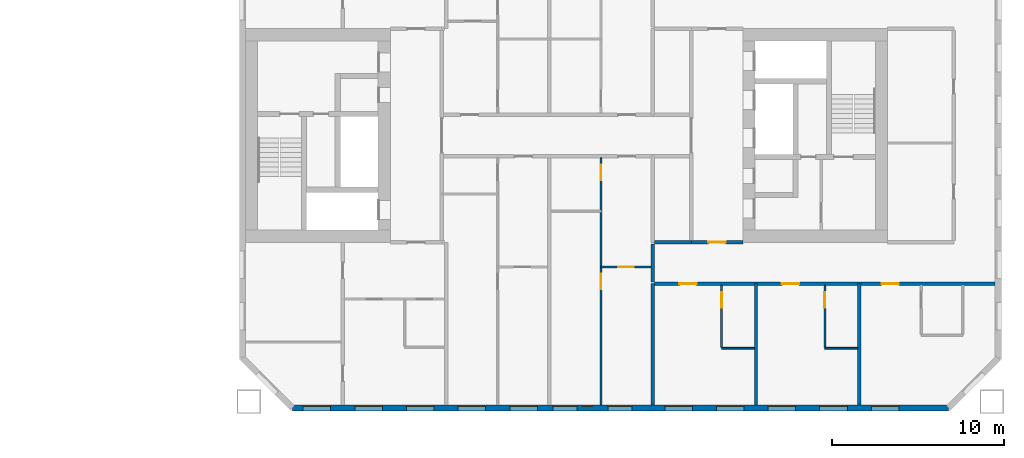
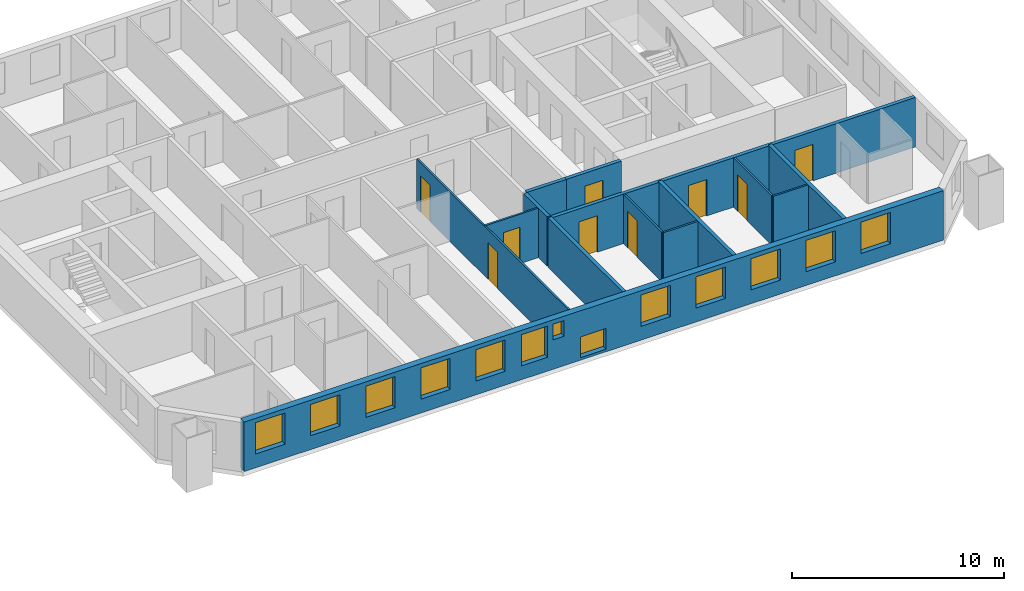
# One storey, part 11 of 16: 14 walls, 13 windows, 9 doors, 22 openings.
"""IFC4 building model written with IfcOpenShell, lengths in metres."""

from ifc_helpers import new_model, si_unit, direction, frame, frame_2d, origin, place, context, subcontext, project, spatial, rectangle, extrude, material, layer, layer_set, type_object, element, fill, save


model = new_model("IFC4")

# Units and contexts
model_context = context("Model", 3, precision=1e-05, world=origin(), true_north=direction((0.0, 1.0)))
body_context = subcontext(model_context, "Body", "Model", "MODEL_VIEW")
ifc_project = project(units=[si_unit("LENGTHUNIT", "METRE"), si_unit("AREAUNIT", "SQUARE_METRE"), si_unit("VOLUMEUNIT", "CUBIC_METRE"), si_unit("PLANEANGLEUNIT", "RADIAN"), si_unit("MASSUNIT", "GRAM", prefix="KILO")], contexts=[model_context])

# Site, building, storey
site_placement = place(None, origin())
site = spatial("IfcSite", under=ifc_project, at=site_placement, CompositionType="ELEMENT")
building_placement = place(site_placement, origin())
building = spatial("IfcBuilding", under=site, at=building_placement, Name="Tuart Gate Housing", CompositionType="ELEMENT")
storey_placement = place(building_placement, frame((0.0, 0.0, 87.10009765625)))
storey = spatial("IfcBuildingStorey", under=building, at=storey_placement, Name="L24", CompositionType="ELEMENT", Elevation=87.10009765625)

# Wall, openings, windows
ifc_material_1 = material(Name="Brick", Category="masonry")
ifc_layer_1 = layer(ifc_material_1, 0.360107421875)
ifc_layer_set_1 = layer_set([ifc_layer_1], Name="Brick pier and spandrel wall 360")
wall_type_1 = type_object("IfcWallType", Name="Brick pier and spandrel wall 360", PredefinedType="STANDARD", material=ifc_layer_set_1)
wall_1_placement = place(storey_placement, frame((134.07470703125, 54.179931640625, 0.0), z_axis=(0.0, 0.0, 1.0), x_axis=(1.0, 0.0, 0.0)))
wall_1 = element("IfcWall", 1, at=wall_1_placement, inside=storey, type_object=wall_type_1, Name="External wall B-S L24", PredefinedType="STANDARD", context=body_context, shape_type="SweptSolid", body=[
    extrude(rectangle(XDim=38.100830078125, YDim=0.360107421875, at=frame_2d((19.05029296875, 0.0))), origin(), (0.0, 0.0, 1.0), 2.849853515625),
])
opening_1_placement = place(wall_1_placement, frame((0.62548828125, 0.0, 0.800048828125)))
opening_1 = element("IfcOpeningElement", 2, at=opening_1_placement, cuts=wall_1, Name="Opening W1", PredefinedType="OPENING", context=body_context, shape_type="SweptSolid", body=[
    extrude(rectangle(XDim=1.60009765625, YDim=1.800048828125, at=frame_2d((0.800048828125, 0.89990234375))), frame((0.0, 0.18994140625, 0.0), z_axis=(0.0, -1.0, 0.0), x_axis=(1.0, 0.0, 0.0)), (0.0, 0.0, 1.0), 0.380126953125),
])
opening_2_placement = place(wall_1_placement, frame((3.62548828125, 0.0, 0.800048828125)))
opening_2 = element("IfcOpeningElement", 3, at=opening_2_placement, cuts=wall_1, Name="Opening W1", PredefinedType="OPENING", context=body_context, shape_type="SweptSolid", body=[
    extrude(rectangle(XDim=1.60009765625, YDim=1.800048828125, at=frame_2d((0.800048828125, 0.89990234375))), frame((0.0, 0.18994140625, 0.0), z_axis=(0.0, -1.0, 0.0), x_axis=(1.0, 0.0, 0.0)), (0.0, 0.0, 1.0), 0.380126953125),
])
opening_3_placement = place(wall_1_placement, frame((6.62548828125, 0.0, 0.800048828125)))
opening_3 = element("IfcOpeningElement", 4, at=opening_3_placement, cuts=wall_1, Name="Opening W1", PredefinedType="OPENING", context=body_context, shape_type="SweptSolid", body=[
    extrude(rectangle(XDim=1.60009765625, YDim=1.800048828125, at=frame_2d((0.800048828125, 0.89990234375))), frame((0.0, 0.18994140625, 0.0), z_axis=(0.0, -1.0, 0.0), x_axis=(1.0, 0.0, 0.0)), (0.0, 0.0, 1.0), 0.380126953125),
])
opening_4_placement = place(wall_1_placement, frame((9.62548828125, 0.0, 0.800048828125)))
opening_4 = element("IfcOpeningElement", 5, at=opening_4_placement, cuts=wall_1, Name="Opening W1", PredefinedType="OPENING", context=body_context, shape_type="SweptSolid", body=[
    extrude(rectangle(XDim=1.60009765625, YDim=1.800048828125, at=frame_2d((0.800048828125, 0.89990234375))), frame((0.0, 0.18994140625, 0.0), z_axis=(0.0, -1.0, 0.0), x_axis=(1.0, 0.0, 0.0)), (0.0, 0.0, 1.0), 0.380126953125),
])
opening_5_placement = place(wall_1_placement, frame((12.62548828125, 0.0, 0.800048828125)))
opening_5 = element("IfcOpeningElement", 6, at=opening_5_placement, cuts=wall_1, Name="Opening W1", PredefinedType="OPENING", context=body_context, shape_type="SweptSolid", body=[
    extrude(rectangle(XDim=1.60009765625, YDim=1.800048828125, at=frame_2d((0.800048828125, 0.89990234375))), frame((0.0, 0.18994140625, 0.0), z_axis=(0.0, -1.0, 0.0), x_axis=(1.0, 0.0, 0.0)), (0.0, 0.0, 1.0), 0.380126953125),
])
opening_6_placement = place(wall_1_placement, frame((15.12548828125, 0.0, 0.800048828125)))
opening_6 = element("IfcOpeningElement", 7, at=opening_6_placement, cuts=wall_1, Name="Opening W1A", PredefinedType="OPENING", context=body_context, shape_type="SweptSolid", body=[
    extrude(rectangle(XDim=1.39990234375, YDim=1.800048828125, at=frame_2d((0.699951171875, 0.89990234375))), frame((0.0, 0.18994140625, 0.0), z_axis=(0.0, -1.0, 0.0), x_axis=(1.0, 0.0, 0.0)), (0.0, 0.0, 1.0), 0.380126953125),
])
opening_7_placement = place(wall_1_placement, frame((18.325439453125, 0.0, 0.14990234375)))
opening_7 = element("IfcOpeningElement", 8, at=opening_7_placement, cuts=wall_1, Name="Opening W1M", PredefinedType="OPENING", context=body_context, shape_type="SweptSolid", body=[
    extrude(rectangle(XDim=1.39990234375, YDim=1.199951171875, at=frame_2d((0.699951171875, 0.60009765625))), frame((0.0, 0.18994140625, 0.0), z_axis=(0.0, -1.0, 0.0), x_axis=(1.0, 0.0, 0.0)), (0.0, 0.0, 1.0), 0.380126953125),
])
opening_8_placement = place(wall_1_placement, frame((21.62548828125, 0.0, 0.800048828125)))
opening_8 = element("IfcOpeningElement", 9, at=opening_8_placement, cuts=wall_1, Name="Opening W1", PredefinedType="OPENING", context=body_context, shape_type="SweptSolid", body=[
    extrude(rectangle(XDim=1.60009765625, YDim=1.800048828125, at=frame_2d((0.800048828125, 0.89990234375))), frame((0.0, 0.18994140625, 0.0), z_axis=(0.0, -1.0, 0.0), x_axis=(1.0, 0.0, 0.0)), (0.0, 0.0, 1.0), 0.380126953125),
])
opening_9_placement = place(wall_1_placement, frame((24.62548828125, 0.0, 0.800048828125)))
opening_9 = element("IfcOpeningElement", 10, at=opening_9_placement, cuts=wall_1, Name="Opening W1", PredefinedType="OPENING", context=body_context, shape_type="SweptSolid", body=[
    extrude(rectangle(XDim=1.60009765625, YDim=1.800048828125, at=frame_2d((0.800048828125, 0.89990234375))), frame((0.0, 0.18994140625, 0.0), z_axis=(0.0, -1.0, 0.0), x_axis=(1.0, 0.0, 0.0)), (0.0, 0.0, 1.0), 0.380126953125),
])
opening_10_placement = place(wall_1_placement, frame((27.62548828125, 0.0, 0.800048828125)))
opening_10 = element("IfcOpeningElement", 11, at=opening_10_placement, cuts=wall_1, Name="Opening W1", PredefinedType="OPENING", context=body_context, shape_type="SweptSolid", body=[
    extrude(rectangle(XDim=1.60009765625, YDim=1.800048828125, at=frame_2d((0.800048828125, 0.89990234375))), frame((0.0, 0.18994140625, 0.0), z_axis=(0.0, -1.0, 0.0), x_axis=(1.0, 0.0, 0.0)), (0.0, 0.0, 1.0), 0.380126953125),
])
opening_11_placement = place(wall_1_placement, frame((30.62548828125, 0.0, 0.800048828125)))
opening_11 = element("IfcOpeningElement", 12, at=opening_11_placement, cuts=wall_1, Name="Opening W1", PredefinedType="OPENING", context=body_context, shape_type="SweptSolid", body=[
    extrude(rectangle(XDim=1.60009765625, YDim=1.800048828125, at=frame_2d((0.800048828125, 0.89990234375))), frame((0.0, 0.18994140625, 0.0), z_axis=(0.0, -1.0, 0.0), x_axis=(1.0, 0.0, 0.0)), (0.0, 0.0, 1.0), 0.380126953125),
])
opening_12_placement = place(wall_1_placement, frame((33.62548828125, 0.0, 0.800048828125)))
opening_12 = element("IfcOpeningElement", 13, at=opening_12_placement, cuts=wall_1, Name="Opening W1", PredefinedType="OPENING", context=body_context, shape_type="SweptSolid", body=[
    extrude(rectangle(XDim=1.60009765625, YDim=1.800048828125, at=frame_2d((0.800048828125, 0.89990234375))), frame((0.0, 0.18994140625, 0.0), z_axis=(0.0, -1.0, 0.0), x_axis=(1.0, 0.0, 0.0)), (0.0, 0.0, 1.0), 0.380126953125),
])
opening_13_placement = place(wall_1_placement, frame((16.825439453125, 0.0, 1.699951171875)))
opening_13 = element("IfcOpeningElement", 14, at=opening_13_placement, cuts=wall_1, Name="Opening W1W", PredefinedType="OPENING", context=body_context, shape_type="SweptSolid", body=[
    extrude(rectangle(XDim=0.60009765625, YDim=0.89990234375, at=frame_2d((0.300048828125, 0.449951171875))), frame((0.0, 0.18994140625, 0.0), z_axis=(0.0, -1.0, 0.0), x_axis=(1.0, 0.0, 0.0)), (0.0, 0.0, 1.0), 0.380126953125),
])
ifc_material_2 = material(Name="Aluminium frame with clear glass", Category="aluminium")
window_type_1 = type_object("IfcWindowType", Name="Punched window 1400 x 1200", PartitioningType="SINGLE_PANEL", PredefinedType="WINDOW", material=ifc_material_2)
window_1_placement = place(opening_7_placement, origin())
window_1 = element("IfcWindow", 15, at=window_1_placement, inside=storey, type_object=window_type_1, Name="Window W1M", OverallHeight=1.199951171875, OverallWidth=1.39990234375, PartitioningType="SINGLE_PANEL", PredefinedType="WINDOW", context=body_context, shape_type="SweptSolid", body=[
    extrude(rectangle(XDim=1.39990234375, YDim=1.199951171875, at=frame_2d((0.699951171875, 0.60009765625))), frame((0.0, 0.150146484375, 0.0), z_axis=(0.0, -1.0, 0.0), x_axis=(1.0, 0.0, 0.0)), (0.0, 0.0, 1.0), 0.06005859375),
])
fill(opening_7, window_1)
ifc_material_3 = material(Name="Aluminium frame with clear glass", Category="aluminium")
window_type_2 = type_object("IfcWindowType", Name="Punched window 1400 x 1800", PartitioningType="SINGLE_PANEL", PredefinedType="WINDOW", material=ifc_material_3)
window_2_placement = place(opening_6_placement, origin())
window_2 = element("IfcWindow", 16, at=window_2_placement, inside=storey, type_object=window_type_2, Name="Window W1A", OverallHeight=1.800048828125, OverallWidth=1.39990234375, PartitioningType="SINGLE_PANEL", PredefinedType="WINDOW", context=body_context, shape_type="SweptSolid", body=[
    extrude(rectangle(XDim=1.39990234375, YDim=1.800048828125, at=frame_2d((0.699951171875, 0.89990234375))), frame((0.0, 0.150146484375, 0.0), z_axis=(0.0, -1.0, 0.0), x_axis=(1.0, 0.0, 0.0)), (0.0, 0.0, 1.0), 0.06005859375),
])
fill(opening_6, window_2)
ifc_material_4 = material(Name="Aluminium frame with clear glass", Category="aluminium")
window_type_3 = type_object("IfcWindowType", Name="Punched window 1600 x 1800", PartitioningType="SINGLE_PANEL", PredefinedType="WINDOW", material=ifc_material_4)
window_3_placement = place(opening_1_placement, origin())
window_3 = element("IfcWindow", 17, at=window_3_placement, inside=storey, type_object=window_type_3, Name="Window W1", OverallHeight=1.800048828125, OverallWidth=1.60009765625, PartitioningType="SINGLE_PANEL", PredefinedType="WINDOW", context=body_context, shape_type="SweptSolid", body=[
    extrude(rectangle(XDim=1.60009765625, YDim=1.800048828125, at=frame_2d((0.800048828125, 0.89990234375))), frame((0.0, 0.150146484375, 0.0), z_axis=(0.0, -1.0, 0.0), x_axis=(1.0, 0.0, 0.0)), (0.0, 0.0, 1.0), 0.06005859375),
])
fill(opening_1, window_3)
window_4_placement = place(opening_2_placement, origin())
window_4 = element("IfcWindow", 18, at=window_4_placement, inside=storey, type_object=window_type_3, Name="Window W1", OverallHeight=1.800048828125, OverallWidth=1.60009765625, PartitioningType="SINGLE_PANEL", PredefinedType="WINDOW", context=body_context, shape_type="SweptSolid", body=[
    extrude(rectangle(XDim=1.60009765625, YDim=1.800048828125, at=frame_2d((0.800048828125, 0.89990234375))), frame((0.0, 0.150146484375, 0.0), z_axis=(0.0, -1.0, 0.0), x_axis=(1.0, 0.0, 0.0)), (0.0, 0.0, 1.0), 0.06005859375),
])
fill(opening_2, window_4)
window_5_placement = place(opening_3_placement, origin())
window_5 = element("IfcWindow", 19, at=window_5_placement, inside=storey, type_object=window_type_3, Name="Window W1", OverallHeight=1.800048828125, OverallWidth=1.60009765625, PartitioningType="SINGLE_PANEL", PredefinedType="WINDOW", context=body_context, shape_type="SweptSolid", body=[
    extrude(rectangle(XDim=1.60009765625, YDim=1.800048828125, at=frame_2d((0.800048828125, 0.89990234375))), frame((0.0, 0.150146484375, 0.0), z_axis=(0.0, -1.0, 0.0), x_axis=(1.0, 0.0, 0.0)), (0.0, 0.0, 1.0), 0.06005859375),
])
fill(opening_3, window_5)
window_6_placement = place(opening_4_placement, origin())
window_6 = element("IfcWindow", 20, at=window_6_placement, inside=storey, type_object=window_type_3, Name="Window W1", OverallHeight=1.800048828125, OverallWidth=1.60009765625, PartitioningType="SINGLE_PANEL", PredefinedType="WINDOW", context=body_context, shape_type="SweptSolid", body=[
    extrude(rectangle(XDim=1.60009765625, YDim=1.800048828125, at=frame_2d((0.800048828125, 0.89990234375))), frame((0.0, 0.150146484375, 0.0), z_axis=(0.0, -1.0, 0.0), x_axis=(1.0, 0.0, 0.0)), (0.0, 0.0, 1.0), 0.06005859375),
])
fill(opening_4, window_6)
window_7_placement = place(opening_5_placement, origin())
window_7 = element("IfcWindow", 21, at=window_7_placement, inside=storey, type_object=window_type_3, Name="Window W1", OverallHeight=1.800048828125, OverallWidth=1.60009765625, PartitioningType="SINGLE_PANEL", PredefinedType="WINDOW", context=body_context, shape_type="SweptSolid", body=[
    extrude(rectangle(XDim=1.60009765625, YDim=1.800048828125, at=frame_2d((0.800048828125, 0.89990234375))), frame((0.0, 0.150146484375, 0.0), z_axis=(0.0, -1.0, 0.0), x_axis=(1.0, 0.0, 0.0)), (0.0, 0.0, 1.0), 0.06005859375),
])
fill(opening_5, window_7)
window_8_placement = place(opening_8_placement, origin())
window_8 = element("IfcWindow", 22, at=window_8_placement, inside=storey, type_object=window_type_3, Name="Window W1", OverallHeight=1.800048828125, OverallWidth=1.60009765625, PartitioningType="SINGLE_PANEL", PredefinedType="WINDOW", context=body_context, shape_type="SweptSolid", body=[
    extrude(rectangle(XDim=1.60009765625, YDim=1.800048828125, at=frame_2d((0.800048828125, 0.89990234375))), frame((0.0, 0.150146484375, 0.0), z_axis=(0.0, -1.0, 0.0), x_axis=(1.0, 0.0, 0.0)), (0.0, 0.0, 1.0), 0.06005859375),
])
fill(opening_8, window_8)
window_9_placement = place(opening_9_placement, origin())
window_9 = element("IfcWindow", 23, at=window_9_placement, inside=storey, type_object=window_type_3, Name="Window W1", OverallHeight=1.800048828125, OverallWidth=1.60009765625, PartitioningType="SINGLE_PANEL", PredefinedType="WINDOW", context=body_context, shape_type="SweptSolid", body=[
    extrude(rectangle(XDim=1.60009765625, YDim=1.800048828125, at=frame_2d((0.800048828125, 0.89990234375))), frame((0.0, 0.150146484375, 0.0), z_axis=(0.0, -1.0, 0.0), x_axis=(1.0, 0.0, 0.0)), (0.0, 0.0, 1.0), 0.06005859375),
])
fill(opening_9, window_9)
window_10_placement = place(opening_10_placement, origin())
window_10 = element("IfcWindow", 24, at=window_10_placement, inside=storey, type_object=window_type_3, Name="Window W1", OverallHeight=1.800048828125, OverallWidth=1.60009765625, PartitioningType="SINGLE_PANEL", PredefinedType="WINDOW", context=body_context, shape_type="SweptSolid", body=[
    extrude(rectangle(XDim=1.60009765625, YDim=1.800048828125, at=frame_2d((0.800048828125, 0.89990234375))), frame((0.0, 0.150146484375, 0.0), z_axis=(0.0, -1.0, 0.0), x_axis=(1.0, 0.0, 0.0)), (0.0, 0.0, 1.0), 0.06005859375),
])
fill(opening_10, window_10)
window_11_placement = place(opening_11_placement, origin())
window_11 = element("IfcWindow", 25, at=window_11_placement, inside=storey, type_object=window_type_3, Name="Window W1", OverallHeight=1.800048828125, OverallWidth=1.60009765625, PartitioningType="SINGLE_PANEL", PredefinedType="WINDOW", context=body_context, shape_type="SweptSolid", body=[
    extrude(rectangle(XDim=1.60009765625, YDim=1.800048828125, at=frame_2d((0.800048828125, 0.89990234375))), frame((0.0, 0.150146484375, 0.0), z_axis=(0.0, -1.0, 0.0), x_axis=(1.0, 0.0, 0.0)), (0.0, 0.0, 1.0), 0.06005859375),
])
fill(opening_11, window_11)
window_12_placement = place(opening_12_placement, origin())
window_12 = element("IfcWindow", 26, at=window_12_placement, inside=storey, type_object=window_type_3, Name="Window W1", OverallHeight=1.800048828125, OverallWidth=1.60009765625, PartitioningType="SINGLE_PANEL", PredefinedType="WINDOW", context=body_context, shape_type="SweptSolid", body=[
    extrude(rectangle(XDim=1.60009765625, YDim=1.800048828125, at=frame_2d((0.800048828125, 0.89990234375))), frame((0.0, 0.150146484375, 0.0), z_axis=(0.0, -1.0, 0.0), x_axis=(1.0, 0.0, 0.0)), (0.0, 0.0, 1.0), 0.06005859375),
])
fill(opening_12, window_12)
ifc_material_5 = material(Name="Aluminium frame with clear glass", Category="aluminium")
window_type_4 = type_object("IfcWindowType", Name="Punched window 600 x 900", PartitioningType="SINGLE_PANEL", PredefinedType="WINDOW", material=ifc_material_5)
window_13_placement = place(opening_13_placement, origin())
window_13 = element("IfcWindow", 27, at=window_13_placement, inside=storey, type_object=window_type_4, Name="Window W1W", OverallHeight=0.89990234375, OverallWidth=0.60009765625, PartitioningType="SINGLE_PANEL", PredefinedType="WINDOW", context=body_context, shape_type="SweptSolid", body=[
    extrude(rectangle(XDim=0.60009765625, YDim=0.89990234375, at=frame_2d((0.300048828125, 0.449951171875))), frame((0.0, 0.150146484375, 0.0), z_axis=(0.0, -1.0, 0.0), x_axis=(1.0, 0.0, 0.0)), (0.0, 0.0, 1.0), 0.06005859375),
])
fill(opening_13, window_13)

# Wall, openings, doors
ifc_material_6 = material(Name="Concrete masonry 15 MPa", Category="masonry")
ifc_layer_2 = layer(ifc_material_6, 0.199951171875)
ifc_layer_set_2 = layer_set([ifc_layer_2], Name="Corridor wall masonry 200")
wall_type_2 = type_object("IfcWallType", Name="Corridor wall masonry 200", PredefinedType="PARTITIONING", material=ifc_layer_set_2)
wall_2_placement = place(storey_placement, frame((155.10009765625, 61.39990234375, 0.0), z_axis=(0.0, 0.0, 1.0), x_axis=(1.0, 0.0, 0.0)))
wall_2 = element("IfcWall", 28, at=wall_2_placement, inside=storey, type_object=wall_type_2, Name="Corridor wall masonry 200", PredefinedType="PARTITIONING", context=body_context, shape_type="SweptSolid", body=[
    extrude(rectangle(XDim=19.789794921875, YDim=0.199951171875, at=frame_2d((9.89501953125, 0.0))), origin(), (0.0, 0.0, 1.0), 2.849853515625),
])
opening_14_placement = place(wall_2_placement, frame((1.449951171875, 0.0, 0.0)))
opening_14 = element("IfcOpeningElement", 29, at=opening_14_placement, cuts=wall_2, Name="Opening D1056", PredefinedType="OPENING", context=body_context, shape_type="SweptSolid", body=[
    extrude(rectangle(XDim=1.0, YDim=2.10009765625, at=frame_2d((0.5, 1.050048828125))), frame((0.0, 0.10986328125, 0.0), z_axis=(0.0, -1.0, 0.0), x_axis=(1.0, 0.0, 0.0)), (0.0, 0.0, 1.0), 0.219970703125),
])
opening_15_placement = place(wall_2_placement, frame((7.39990234375, 0.0, 0.0)))
opening_15 = element("IfcOpeningElement", 30, at=opening_15_placement, cuts=wall_2, Name="Opening D1057", PredefinedType="OPENING", context=body_context, shape_type="SweptSolid", body=[
    extrude(rectangle(XDim=1.0, YDim=2.10009765625, at=frame_2d((0.5, 1.050048828125))), frame((0.0, 0.10986328125, 0.0), z_axis=(0.0, -1.0, 0.0), x_axis=(1.0, 0.0, 0.0)), (0.0, 0.0, 1.0), 0.219970703125),
])
opening_16_placement = place(wall_2_placement, frame((13.199951171875, 0.0, 0.0)))
opening_16 = element("IfcOpeningElement", 31, at=opening_16_placement, cuts=wall_2, Name="Opening D1058", PredefinedType="OPENING", context=body_context, shape_type="SweptSolid", body=[
    extrude(rectangle(XDim=1.0, YDim=2.10009765625, at=frame_2d((0.5, 1.050048828125))), frame((0.0, 0.10986328125, 0.0), z_axis=(0.0, -1.0, 0.0), x_axis=(1.0, 0.0, 0.0)), (0.0, 0.0, 1.0), 0.219970703125),
])
ifc_material_7 = material(Name="Timber door leaf in steel frame", Category="steel")
door_type_1 = type_object("IfcDoorType", Name="Flat entrance door 1000", OperationType="SINGLE_SWING_LEFT", PredefinedType="DOOR", material=ifc_material_7)
door_1_placement = place(opening_14_placement, frame((1.0, 0.0, 0.0), z_axis=(0.0, 0.0, 1.0), x_axis=(-1.0, 0.0, 0.0)))
door_1 = element("IfcDoor", 32, at=door_1_placement, inside=storey, type_object=door_type_1, Name="Flat entrance door", OperationType="SINGLE_SWING_LEFT", OverallHeight=2.10009765625, OverallWidth=1.0, PredefinedType="DOOR", context=body_context, shape_type="SweptSolid", body=[
    extrude(rectangle(XDim=1.0, YDim=2.10009765625, at=frame_2d((0.5, 1.050048828125))), frame((0.0, 0.025146484375, 0.0), z_axis=(0.0, -1.0, 0.0), x_axis=(1.0, 0.0, 0.0)), (0.0, 0.0, 1.0), 0.050048828125),
])
fill(opening_14, door_1)
ifc_material_8 = material(Name="Timber door leaf in steel frame", Category="steel")
door_type_2 = type_object("IfcDoorType", Name="Flat entrance door 1000 RH", OperationType="SINGLE_SWING_RIGHT", PredefinedType="DOOR", material=ifc_material_8)
door_2_placement = place(opening_15_placement, frame((1.0, 0.0, 0.0), z_axis=(0.0, 0.0, 1.0), x_axis=(-1.0, 0.0, 0.0)))
door_2 = element("IfcDoor", 33, at=door_2_placement, inside=storey, type_object=door_type_2, Name="Flat entrance door", OperationType="SINGLE_SWING_RIGHT", OverallHeight=2.10009765625, OverallWidth=1.0, PredefinedType="DOOR", context=body_context, shape_type="SweptSolid", body=[
    extrude(rectangle(XDim=1.0, YDim=2.10009765625, at=frame_2d((0.5, 1.050048828125))), frame((0.0, 0.025146484375, 0.0), z_axis=(0.0, -1.0, 0.0), x_axis=(1.0, 0.0, 0.0)), (0.0, 0.0, 1.0), 0.050048828125),
])
fill(opening_15, door_2)
door_3_placement = place(opening_16_placement, frame((1.0, 0.0, 0.0), z_axis=(0.0, 0.0, 1.0), x_axis=(-1.0, 0.0, 0.0)))
door_3 = element("IfcDoor", 34, at=door_3_placement, inside=storey, type_object=door_type_2, Name="Flat entrance door", OperationType="SINGLE_SWING_RIGHT", OverallHeight=2.10009765625, OverallWidth=1.0, PredefinedType="DOOR", context=body_context, shape_type="SweptSolid", body=[
    extrude(rectangle(XDim=1.0, YDim=2.10009765625, at=frame_2d((0.5, 1.050048828125))), frame((0.0, 0.025146484375, 0.0), z_axis=(0.0, -1.0, 0.0), x_axis=(1.0, 0.0, 0.0)), (0.0, 0.0, 1.0), 0.050048828125),
])
fill(opening_16, door_3)

# Walls
wall_3_placement = place(storey_placement, frame((155.10009765625, 63.800048828125, 0.0), z_axis=(0.0, 0.0, 1.0), x_axis=(1.0, 0.0, 0.0)))
element("IfcWall", 35, at=wall_3_placement, inside=storey, type_object=wall_type_2, Name="Corridor wall masonry 200", PredefinedType="PARTITIONING", context=body_context, shape_type="SweptSolid", body=[
    extrude(rectangle(XDim=2.139892578125, YDim=0.199951171875, at=frame_2d((1.06982421875, 0.0))), origin(), (0.0, 0.0, 1.0), 2.849853515625),
])
wall_4_placement = place(storey_placement, frame((155.0, 61.5, 0.0), z_axis=(0.0, 0.0, 1.0), x_axis=(0.0, 1.0, 0.0)))
element("IfcWall", 36, at=wall_4_placement, inside=storey, type_object=wall_type_2, Name="Corridor wall masonry 200", PredefinedType="PARTITIONING", context=body_context, shape_type="SweptSolid", body=[
    extrude(rectangle(XDim=2.199951171875, YDim=0.199951171875, at=frame_2d((1.10009765625, 0.0))), origin(), (0.0, 0.0, 1.0), 2.849853515625),
])

# Wall, opening, door
ifc_material_9 = material(Name="Concrete masonry 15 MPa", Category="masonry")
ifc_layer_3 = layer(ifc_material_9, 0.199951171875)
ifc_layer_set_3 = layer_set([ifc_layer_3], Name="Enclosure wall masonry 200")
wall_type_3 = type_object("IfcWallType", Name="Enclosure wall masonry 200", PredefinedType="PARTITIONING", material=ifc_layer_set_3)
wall_5_placement = place(storey_placement, frame((157.239990234375, 63.800048828125, 0.0), z_axis=(0.0, 0.0, 1.0), x_axis=(1.0, 0.0, 0.0)))
wall_5 = element("IfcWall", 37, at=wall_5_placement, inside=storey, type_object=wall_type_3, Name="Enclosure wall masonry 200", PredefinedType="PARTITIONING", context=body_context, shape_type="SweptSolid", body=[
    extrude(rectangle(XDim=3.0, YDim=0.199951171875, at=frame_2d((1.5, 0.0))), origin(), (0.0, 0.0, 1.0), 2.849853515625),
])
opening_17_placement = place(wall_5_placement, frame((1.0, 0.0, 0.0)))
opening_17 = element("IfcOpeningElement", 38, at=opening_17_placement, cuts=wall_5, Name="Opening D1049", PredefinedType="OPENING", context=body_context, shape_type="SweptSolid", body=[
    extrude(rectangle(XDim=1.0, YDim=2.10009765625, at=frame_2d((0.5, 1.050048828125))), frame((0.0, 0.10986328125, 0.0), z_axis=(0.0, -1.0, 0.0), x_axis=(1.0, 0.0, 0.0)), (0.0, 0.0, 1.0), 0.219970703125),
])
ifc_material_10 = material(Name="Timber door leaf in steel frame", Category="steel")
door_type_3 = type_object("IfcDoorType", Name="Fire door 1000 RH", OperationType="SINGLE_SWING_RIGHT", PredefinedType="DOOR", material=ifc_material_10)
door_4_placement = place(opening_17_placement, frame((1.0, 0.0, 0.0), z_axis=(0.0, 0.0, 1.0), x_axis=(-1.0, 0.0, 0.0)))
door_4 = element("IfcDoor", 39, at=door_4_placement, inside=storey, type_object=door_type_3, Name="Fire door", OperationType="SINGLE_SWING_RIGHT", OverallHeight=2.10009765625, OverallWidth=1.0, PredefinedType="DOOR", context=body_context, shape_type="SweptSolid", body=[
    extrude(rectangle(XDim=1.0, YDim=2.10009765625, at=frame_2d((0.5, 1.050048828125))), frame((0.0, 0.025146484375, 0.0), z_axis=(0.0, -1.0, 0.0), x_axis=(1.0, 0.0, 0.0)), (0.0, 0.0, 1.0), 0.050048828125),
])
fill(opening_17, door_4)

# Walls
ifc_material_11 = material(Name="Gypsum board on steel studs", Category="steel")
ifc_layer_4 = layer(ifc_material_11, 0.10009765625)
ifc_layer_set_4 = layer_set([ifc_layer_4], Name="Partition 100")
wall_type_4 = type_object("IfcWallType", Name="Partition 100", PredefinedType="PARTITIONING", material=ifc_layer_set_4)
for number, where, z_axis, x_axis, name in (
    (40, (159.0, 57.64990234375, 0.0), (0.0, 0.0, 1.0), (1.0, 0.0, 0.0), "Partition 100"),
    (41, (165.0, 57.64990234375, 0.0), (0.0, 0.0, 1.0), (1.0, 0.0, 0.0), "Partition 100"),
):
    element("IfcWall", number, at=place(storey_placement, frame(where, z_axis=z_axis, x_axis=x_axis)), inside=storey, type_object=wall_type_4, Name=name, PredefinedType="PARTITIONING", context=body_context, shape_type="SweptSolid", body=[
        extrude(rectangle(XDim=1.89990234375, YDim=0.10009765625, at=frame_2d((0.949951171875, 0.0))), origin(), (0.0, 0.0, 1.0), 2.849853515625),
    ])

# Wall, opening, door
wall_6_placement = place(storey_placement, frame((152.0, 62.360107421875, 0.0), z_axis=(0.0, 0.0, 1.0), x_axis=(1.0, 0.0, 0.0)))
wall_6 = element("IfcWall", 42, at=wall_6_placement, inside=storey, type_object=wall_type_4, Name="Partition 100", PredefinedType="PARTITIONING", context=body_context, shape_type="SweptSolid", body=[
    extrude(rectangle(XDim=2.89990234375, YDim=0.10009765625, at=frame_2d((1.449951171875, 0.0))), origin(), (0.0, 0.0, 1.0), 2.849853515625),
])
opening_18_placement = place(wall_6_placement, frame((1.0, 0.0, 0.0)))
opening_18 = element("IfcOpeningElement", 43, at=opening_18_placement, cuts=wall_6, Name="Opening D1051", PredefinedType="OPENING", context=body_context, shape_type="SweptSolid", body=[
    extrude(rectangle(XDim=0.89990234375, YDim=2.10009765625, at=frame_2d((0.449951171875, 1.050048828125))), frame((0.0, 0.06005859375, 0.0), z_axis=(0.0, -1.0, 0.0), x_axis=(1.0, 0.0, 0.0)), (0.0, 0.0, 1.0), 0.1201171875),
])
ifc_material_12 = material(Name="Timber door leaf in steel frame", Category="steel")
door_type_4 = type_object("IfcDoorType", Name="Internal door 900", OperationType="SINGLE_SWING_LEFT", PredefinedType="DOOR", material=ifc_material_12)
door_5_placement = place(opening_18_placement, origin())
door_5 = element("IfcDoor", 44, at=door_5_placement, inside=storey, type_object=door_type_4, Name="Internal door", OperationType="SINGLE_SWING_LEFT", OverallHeight=2.10009765625, OverallWidth=0.89990234375, PredefinedType="DOOR", context=body_context, shape_type="SweptSolid", body=[
    extrude(rectangle(XDim=0.89990234375, YDim=2.10009765625, at=frame_2d((0.449951171875, 1.050048828125))), frame((0.0, 0.02490234375, 0.0), z_axis=(0.0, -1.0, 0.0), x_axis=(1.0, 0.0, 0.0)), (0.0, 0.0, 1.0), 0.050048828125),
])
fill(opening_18, door_5)

# Wall, openings, doors
wall_7_placement = place(storey_placement, frame((152.0, 54.360107421875, 0.0), z_axis=(0.0, 0.0, 1.0), x_axis=(0.0, 1.0, 0.0)))
wall_7 = element("IfcWall", 45, at=wall_7_placement, inside=storey, type_object=wall_type_4, Name="Partition 100", PredefinedType="PARTITIONING", context=body_context, shape_type="SweptSolid", body=[
    extrude(rectangle(XDim=14.33984375, YDim=0.10009765625, at=frame_2d((7.169921875, 0.0))), origin(), (0.0, 0.0, 1.0), 2.849853515625),
])
opening_19_placement = place(wall_7_placement, frame((6.699951171875, 0.0, 0.0)))
opening_19 = element("IfcOpeningElement", 46, at=opening_19_placement, cuts=wall_7, Name="Opening D1055", PredefinedType="OPENING", context=body_context, shape_type="SweptSolid", body=[
    extrude(rectangle(XDim=0.89990234375, YDim=2.10009765625, at=frame_2d((0.449951171875, 1.050048828125))), frame((0.0, 0.06005859375, 0.0), z_axis=(0.0, -1.0, 0.0), x_axis=(1.0, 0.0, 0.0)), (0.0, 0.0, 1.0), 0.1201171875),
])
opening_20_placement = place(wall_7_placement, frame((13.0400390625, 0.0, 0.0)))
opening_20 = element("IfcOpeningElement", 47, at=opening_20_placement, cuts=wall_7, Name="Opening D1054", PredefinedType="OPENING", context=body_context, shape_type="SweptSolid", body=[
    extrude(rectangle(XDim=0.89990234375, YDim=2.10009765625, at=frame_2d((0.449951171875, 1.050048828125))), frame((0.0, 0.06005859375, 0.0), z_axis=(0.0, -1.0, 0.0), x_axis=(1.0, 0.0, 0.0)), (0.0, 0.0, 1.0), 0.1201171875),
])
ifc_material_13 = material(Name="Timber door leaf in steel frame", Category="steel")
door_type_5 = type_object("IfcDoorType", Name="Bathroom door 900 RH", OperationType="SINGLE_SWING_RIGHT", PredefinedType="DOOR", material=ifc_material_13)
door_6_placement = place(opening_20_placement, origin())
door_6 = element("IfcDoor", 48, at=door_6_placement, inside=storey, type_object=door_type_5, Name="Bathroom door", OperationType="SINGLE_SWING_RIGHT", OverallHeight=2.10009765625, OverallWidth=0.89990234375, PredefinedType="DOOR", context=body_context, shape_type="SweptSolid", body=[
    extrude(rectangle(XDim=0.89990234375, YDim=2.10009765625, at=frame_2d((0.449951171875, 1.050048828125))), frame((0.0, 0.02490234375, 0.0), z_axis=(0.0, -1.0, 0.0), x_axis=(1.0, 0.0, 0.0)), (0.0, 0.0, 1.0), 0.050048828125),
])
fill(opening_20, door_6)
ifc_material_14 = material(Name="Timber door leaf in steel frame", Category="steel")
door_type_6 = type_object("IfcDoorType", Name="Internal door 900 RH", OperationType="SINGLE_SWING_RIGHT", PredefinedType="DOOR", material=ifc_material_14)
door_7_placement = place(opening_19_placement, origin())
door_7 = element("IfcDoor", 49, at=door_7_placement, inside=storey, type_object=door_type_6, Name="Internal door", OperationType="SINGLE_SWING_RIGHT", OverallHeight=2.10009765625, OverallWidth=0.89990234375, PredefinedType="DOOR", context=body_context, shape_type="SweptSolid", body=[
    extrude(rectangle(XDim=0.89990234375, YDim=2.10009765625, at=frame_2d((0.449951171875, 1.050048828125))), frame((0.0, 0.02490234375, 0.0), z_axis=(0.0, -1.0, 0.0), x_axis=(1.0, 0.0, 0.0)), (0.0, 0.0, 1.0), 0.050048828125),
])
fill(opening_19, door_7)

# Wall, opening, door
wall_8_placement = place(storey_placement, frame((159.0, 57.699951171875, 0.0), z_axis=(0.0, 0.0, 1.0), x_axis=(0.0, 1.0, 0.0)))
wall_8 = element("IfcWall", 50, at=wall_8_placement, inside=storey, type_object=wall_type_4, Name="Partition 100", PredefinedType="PARTITIONING", context=body_context, shape_type="SweptSolid", body=[
    extrude(rectangle(XDim=3.60009765625, YDim=0.10009765625, at=frame_2d((1.800048828125, 0.0))), origin(), (0.0, 0.0, 1.0), 2.849853515625),
])
opening_21_placement = place(wall_8_placement, frame((2.300048828125, 0.0, 0.0)))
opening_21 = element("IfcOpeningElement", 51, at=opening_21_placement, cuts=wall_8, Name="Opening D1062", PredefinedType="OPENING", context=body_context, shape_type="SweptSolid", body=[
    extrude(rectangle(XDim=0.89990234375, YDim=2.10009765625, at=frame_2d((0.449951171875, 1.050048828125))), frame((0.0, 0.06005859375, 0.0), z_axis=(0.0, -1.0, 0.0), x_axis=(1.0, 0.0, 0.0)), (0.0, 0.0, 1.0), 0.1201171875),
])
ifc_material_15 = material(Name="Timber door leaf in steel frame", Category="steel")
door_type_7 = type_object("IfcDoorType", Name="Bathroom door 900", OperationType="SINGLE_SWING_LEFT", PredefinedType="DOOR", material=ifc_material_15)
door_8_placement = place(opening_21_placement, frame((0.89990234375, 0.0, 0.0), z_axis=(0.0, 0.0, 1.0), x_axis=(-1.0, 0.0, 0.0)))
door_8 = element("IfcDoor", 52, at=door_8_placement, inside=storey, type_object=door_type_7, Name="Bathroom door", OperationType="SINGLE_SWING_LEFT", OverallHeight=2.10009765625, OverallWidth=0.89990234375, PredefinedType="DOOR", context=body_context, shape_type="SweptSolid", body=[
    extrude(rectangle(XDim=0.89990234375, YDim=2.10009765625, at=frame_2d((0.449951171875, 1.050048828125))), frame((0.0, 0.025146484375, 0.0), z_axis=(0.0, -1.0, 0.0), x_axis=(1.0, 0.0, 0.0)), (0.0, 0.0, 1.0), 0.050048828125),
])
fill(opening_21, door_8)

wall_9_placement = place(storey_placement, frame((165.0, 57.699951171875, 0.0), z_axis=(0.0, 0.0, 1.0), x_axis=(0.0, 1.0, 0.0)))
wall_9 = element("IfcWall", 53, at=wall_9_placement, inside=storey, type_object=wall_type_4, Name="Partition 100", PredefinedType="PARTITIONING", context=body_context, shape_type="SweptSolid", body=[
    extrude(rectangle(XDim=3.60009765625, YDim=0.10009765625, at=frame_2d((1.800048828125, 0.0))), origin(), (0.0, 0.0, 1.0), 2.849853515625),
])
opening_22_placement = place(wall_9_placement, frame((2.300048828125, 0.0, 0.0)))
opening_22 = element("IfcOpeningElement", 54, at=opening_22_placement, cuts=wall_9, Name="Opening D1063", PredefinedType="OPENING", context=body_context, shape_type="SweptSolid", body=[
    extrude(rectangle(XDim=0.89990234375, YDim=2.10009765625, at=frame_2d((0.449951171875, 1.050048828125))), frame((0.0, 0.06005859375, 0.0), z_axis=(0.0, -1.0, 0.0), x_axis=(1.0, 0.0, 0.0)), (0.0, 0.0, 1.0), 0.1201171875),
])
door_9_placement = place(opening_22_placement, frame((0.89990234375, 0.0, 0.0), z_axis=(0.0, 0.0, 1.0), x_axis=(-1.0, 0.0, 0.0)))
door_9 = element("IfcDoor", 55, at=door_9_placement, inside=storey, type_object=door_type_7, Name="Bathroom door", OperationType="SINGLE_SWING_LEFT", OverallHeight=2.10009765625, OverallWidth=0.89990234375, PredefinedType="DOOR", context=body_context, shape_type="SweptSolid", body=[
    extrude(rectangle(XDim=0.89990234375, YDim=2.10009765625, at=frame_2d((0.449951171875, 1.050048828125))), frame((0.0, 0.025146484375, 0.0), z_axis=(0.0, -1.0, 0.0), x_axis=(1.0, 0.0, 0.0)), (0.0, 0.0, 1.0), 0.050048828125),
])
fill(opening_22, door_9)

# Walls
ifc_material_16 = material(Name="Concrete C40", Category="concrete")
ifc_layer_5 = layer(ifc_material_16, 0.199951171875)
ifc_layer_set_5 = layer_set([ifc_layer_5], Name="Party wall concrete C40 200")
wall_type_5 = type_object("IfcWallType", Name="Party wall concrete C40 200", PredefinedType="SOLIDWALL", material=ifc_layer_set_5)
for number, where, z_axis, x_axis, name in (
    (56, (155.0, 54.360107421875, 0.0), (0.0, 0.0, 1.0), (0.0, 1.0, 0.0), "Party wall concrete C40 200"),
    (57, (161.0, 54.360107421875, 0.0), (0.0, 0.0, 1.0), (0.0, 1.0, 0.0), "Party wall concrete C40 200"),
    (58, (167.0, 54.360107421875, 0.0), (0.0, 0.0, 1.0), (0.0, 1.0, 0.0), "Party wall concrete C40 200"),
):
    element("IfcWall", number, at=place(storey_placement, frame(where, z_axis=z_axis, x_axis=x_axis)), inside=storey, type_object=wall_type_5, Name=name, PredefinedType="SOLIDWALL", context=body_context, shape_type="SweptSolid", body=[
        extrude(rectangle(XDim=7.039794921875, YDim=0.199951171875, at=frame_2d((3.52001953125, 0.0))), origin(), (0.0, 0.0, 1.0), 2.849853515625),
    ])

save(model, "model.ifc")
